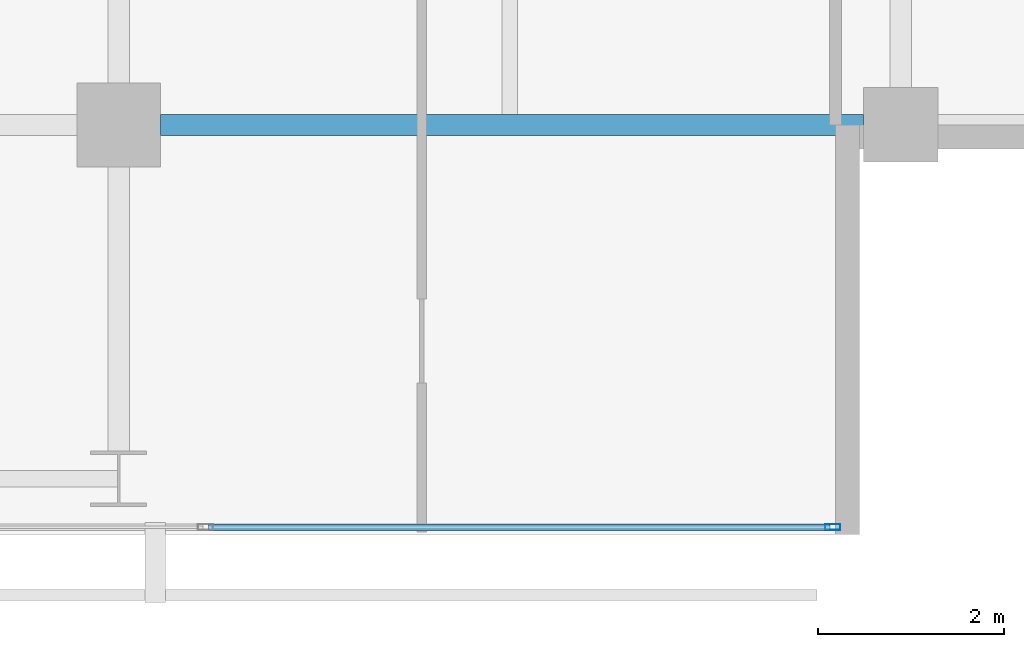
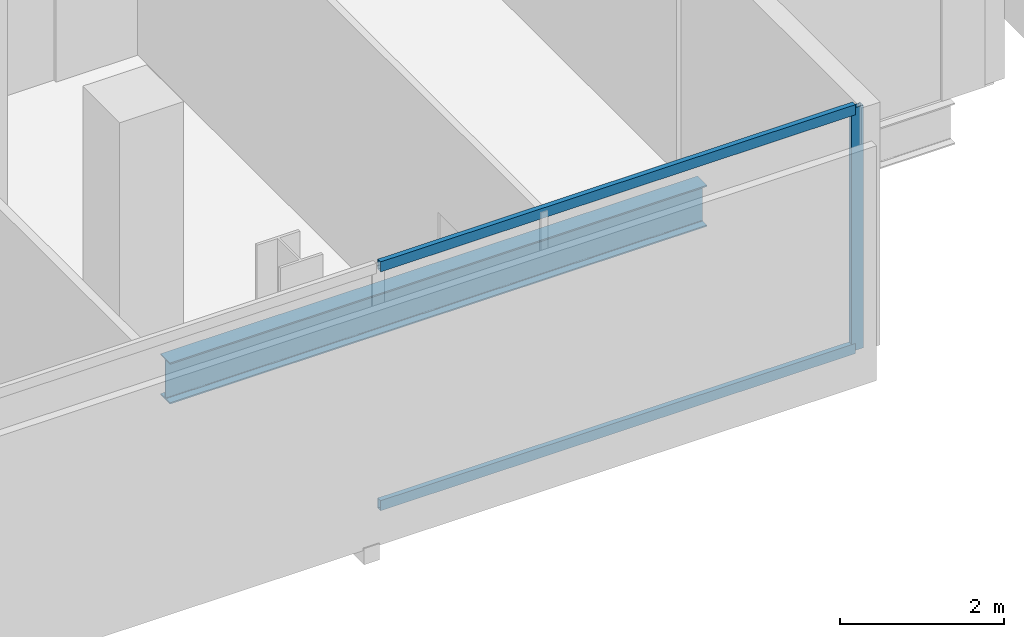
# One storey, part 13 of 33: 3 members, 1 beam, 1 element without a shape of its own.
"""IFC4 building model written with IfcOpenShell, lengths in metres."""

from ifc_helpers import new_model, si_unit, direction, frame, origin, origin_2d, place, context, subcontext, project, spatial, hollow_rectangle, i_section, extrude, material, layer, layer_set, material_profile, profile_set, type_object, element, aggregate, save


model = new_model("IFC4")

# Units and contexts
model_context = context("Model", 3, precision=1e-05, world=origin(), true_north=direction((0.0, 1.0)))
body_context = subcontext(model_context, "Body", "Model", "MODEL_VIEW")
ifc_project = project(units=[si_unit("LENGTHUNIT", "METRE"), si_unit("AREAUNIT", "SQUARE_METRE"), si_unit("VOLUMEUNIT", "CUBIC_METRE"), si_unit("PLANEANGLEUNIT", "RADIAN"), si_unit("MASSUNIT", "GRAM", prefix="KILO")], contexts=[model_context])

# Site, building, storey
site_placement = place(None, origin())
site = spatial("IfcSite", under=ifc_project, at=site_placement, CompositionType="ELEMENT")
building_placement = place(site_placement, origin())
building = spatial("IfcBuilding", under=site, at=building_placement, Name="Maruvema Waterfront Hotel and Observation Tower", CompositionType="ELEMENT")
storey_placement = place(building_placement, frame((0.0, 0.0, 142.800048828125)))
storey = spatial("IfcBuildingStorey", under=building, at=storey_placement, Name="L34", CompositionType="ELEMENT", Elevation=142.800048828125)

# Curtain wall, members
ifc_material_1 = material(Name="Anodised bronze aluminium and solar-control low-E IGU", Category="aluminium")
ifc_layer = layer(ifc_material_1, 0.159912109375, Name="Zone 2 Amber Inner Thermal Curtain Wall System CW-03")
ifc_layer_set = layer_set([ifc_layer], Name="Anodised bronze aluminium and solar-control low-E IGU")
curtain_wall_type = type_object("IfcCurtainWallType", Name="Zone 2 Amber Inner Thermal Curtain Wall System CW-03", PredefinedType="USERDEFINED", material=ifc_layer_set)
curtain_wall_placement = place(storey_placement, origin())
curtain_wall = element("IfcCurtainWall", 1, at=curtain_wall_placement, inside=storey, type_object=curtain_wall_type, Name="L34 Curtain Wall CW-L34-S", ObjectType="UNITISED CURTAIN WALL", PredefinedType="USERDEFINED")
ifc_material_2 = material(Name="Anodised architectural bronze aluminium", Category="aluminium")
ifc_material_profile_1 = material_profile(ifc_material_2, hollow_rectangle(XDim=0.070068359375, YDim=0.14990234375, WallThickness=0.00390625, at=origin_2d()), Name="ALU-T70x150")
ifc_profile_set_1 = profile_set([ifc_material_profile_1], Name="Anodised architectural bronze aluminium")
member_type_1 = type_object("IfcMemberType", Name="Curtain Wall Horizontal Transom ALU-T70x150", PredefinedType="USERDEFINED", material=ifc_profile_set_1)
member_1_placement = place(storey_placement, frame((51.36328125, 4.679931640625, 0.030029296875), z_axis=(1.0, 0.0, 0.0), x_axis=(0.0, 1.0, 0.0)))
member_1 = element("IfcMember", 2, at=member_1_placement, type_object=member_type_1, Name="CW-03 transom 6.1", ObjectType="TRANSOM", PredefinedType="USERDEFINED", context=body_context, shape_type="SweptSolid", body=[
    extrude(hollow_rectangle(XDim=0.070068359375, YDim=0.14990234375, WallThickness=0.00390625, at=origin_2d()), origin(), (0.0, 0.0, 1.0), 6.6767578125),
])
member_2_placement = place(storey_placement, frame((51.36328125, 4.679931640625, 3.579833984375), z_axis=(1.0, 0.0, 0.0), x_axis=(0.0, 1.0, 0.0)))
member_2 = element("IfcMember", 3, at=member_2_placement, type_object=member_type_1, Name="CW-03 transom 6.2", ObjectType="TRANSOM", PredefinedType="USERDEFINED", context=body_context, shape_type="SweptSolid", body=[
    extrude(hollow_rectangle(XDim=0.070068359375, YDim=0.14990234375, WallThickness=0.00390625, at=origin_2d()), origin(), (0.0, 0.0, 1.0), 6.6767578125),
])
ifc_material_3 = material(Name="Anodised architectural bronze aluminium", Category="aluminium")
ifc_material_profile_2 = material_profile(ifc_material_3, hollow_rectangle(XDim=0.06494140625, YDim=0.1650390625, WallThickness=0.00390625, at=origin_2d()), Name="ALU-M65x165")
ifc_profile_set_2 = profile_set([ifc_material_profile_2], Name="Anodised architectural bronze aluminium")
member_type_2 = type_object("IfcMemberType", Name="Curtain Wall Primary Mullion ALU-M65x165", PredefinedType="MULLION", material=ifc_profile_set_2)
member_3_placement = place(storey_placement, frame((58.070068359375, 4.679931640625, 0.0), z_axis=(0.0, 0.0, 1.0), x_axis=(0.0, 1.0, 0.0)))
member_3 = element("IfcMember", 4, at=member_3_placement, type_object=member_type_2, Name="CW-03 mullion 7", PredefinedType="MULLION", context=body_context, shape_type="SweptSolid", body=[
    extrude(hollow_rectangle(XDim=0.06494140625, YDim=0.1650390625, WallThickness=0.00390625, at=origin_2d()), origin(), (0.0, 0.0, 1.0), 3.60986328125),
])
aggregate(curtain_wall, [member_3, member_1, member_2])

# Beam
ifc_material_4 = material(Name="Steel ASTM A572 Grade 50", Category="steel")
ifc_material_profile_3 = material_profile(ifc_material_4, i_section(OverallWidth=0.22900390625, OverallDepth=0.612060546875, WebThickness=0.011962890625, FlangeThickness=0.01953125, FilletRadius=0.01806640625, at=origin_2d()), Name="W610x125.0")
ifc_profile_set_3 = profile_set([ifc_material_profile_3], Name="Steel ASTM A572 Grade 50")
beam_type = type_object("IfcBeamType", Name="Primary Floor Girder W610x125.0", PredefinedType="BEAM", material=ifc_profile_set_3)
beam_placement = place(storey_placement, frame((50.85009765625, 9.0, -0.546142578125), z_axis=(1.0, 0.0, 0.0), x_axis=(0.0, 1.0, 0.0)))
element("IfcBeam", 5, at=beam_placement, inside=storey, type_object=beam_type, Name="L34 Floor Girder EW-09", PredefinedType="BEAM", context=body_context, shape_type="SweptSolid", body=[
    extrude(i_section(OverallWidth=0.22900390625, OverallDepth=0.612060546875, WebThickness=0.011962890625, FlangeThickness=0.01953125, FilletRadius=0.01806640625, at=origin_2d()), origin(), (0.0, 0.0, 1.0), 7.5498046875),
])

save(model, "model.ifc")
